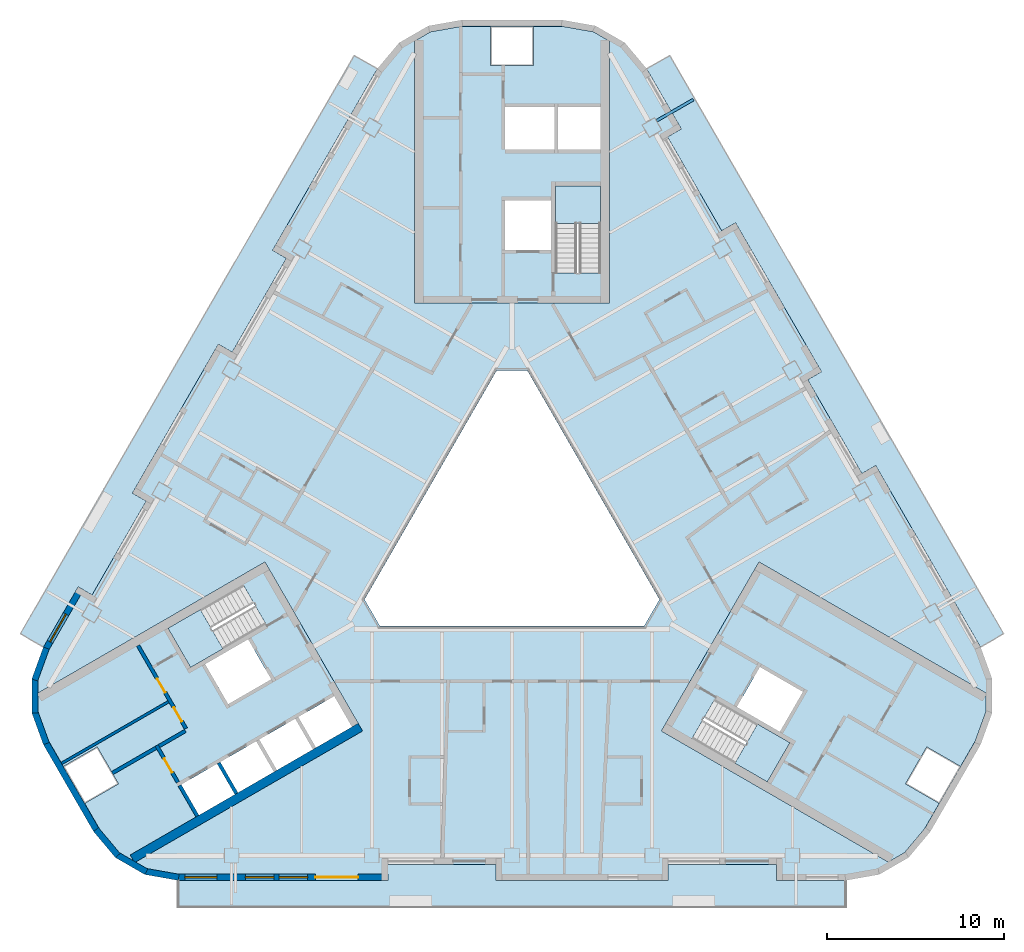
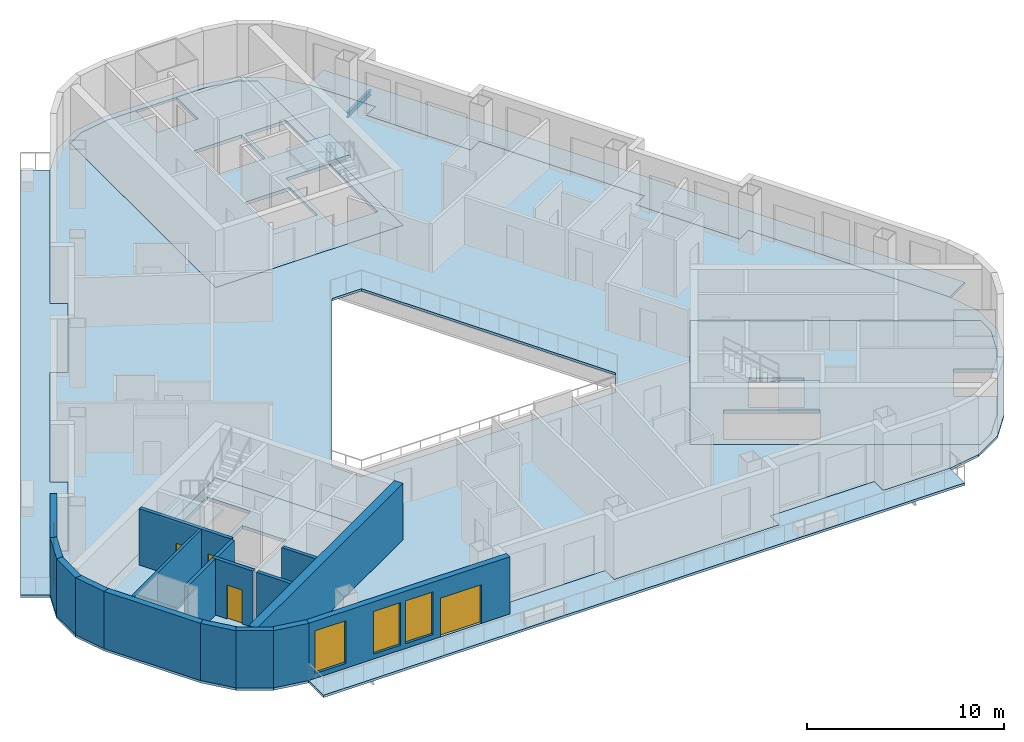
# One storey, part 2 of 14: 17 walls, 10 slabs, 4 doors, 4 windows, 1 beam, 8 openings, 3 elements without a shape of their own.
"""IFC4 building model written with IfcOpenShell, lengths in metres."""

from ifc_helpers import new_model, si_unit, direction, frame, frame_2d, origin, origin_2d, place, context, subcontext, project, spatial, polyline, rectangle, i_section, outline, extrude, material, layer, layer_set, material_profile, profile_set, type_object, element, fill, aggregate, save


model = new_model("IFC4")

# Units and contexts
model_context = context("Model", 3, precision=1e-05, world=origin(), true_north=direction((0.0, 1.0)))
body_context = subcontext(model_context, "Body", "Model", "MODEL_VIEW")
ifc_project = project(units=[si_unit("LENGTHUNIT", "METRE"), si_unit("AREAUNIT", "SQUARE_METRE"), si_unit("VOLUMEUNIT", "CUBIC_METRE"), si_unit("PLANEANGLEUNIT", "RADIAN"), si_unit("MASSUNIT", "GRAM", prefix="KILO")], contexts=[model_context])

# Site, building, storey
site_placement = place(None, origin())
site = spatial("IfcSite", under=ifc_project, at=site_placement, CompositionType="ELEMENT")
building_placement = place(site_placement, origin())
building = spatial("IfcBuilding", under=site, at=building_placement, Name="Apuvela Tower Hotel", CompositionType="ELEMENT")
storey_placement = place(building_placement, frame((0.0, 0.0, 172.5)))
storey = spatial("IfcBuildingStorey", under=building, at=storey_placement, Name="L41", CompositionType="ELEMENT", Elevation=172.5)

# Beam
ifc_material_1 = material(Name="Steel S355", Category="steel")
ifc_material_profile = material_profile(ifc_material_1, i_section(OverallWidth=0.159912109375, OverallDepth=0.330078125, WebThickness=0.007568359375, FlangeThickness=0.011474609375, at=origin_2d()), Name="IPE 330")
ifc_profile_set = profile_set([ifc_material_profile], Name="Steel S355")
beam_type = type_object("IfcBeamType", Name="ENV-BALCONY-BEAM-IPE330", PredefinedType="BEAM", material=ifc_profile_set)
beam_placement = place(storey_placement, frame((8.15576171875, 23.183837890625, -0.31494140625), z_axis=(0.866007538022, 0.500030943131, 0.0), x_axis=(-0.500030943131, 0.866007538022, 0.0)))
element("IfcBeam", 1, at=beam_placement, inside=storey, type_object=beam_type, Name="Balcony cantilever beam NE3 L41", PredefinedType="BEAM", context=body_context, shape_type="SweptSolid", body=[
    extrude(i_section(OverallWidth=0.159912109375, OverallDepth=0.330078125, WebThickness=0.007568359375, FlangeThickness=0.011474609375, at=origin_2d()), origin(), (0.0, 0.0, 1.0), 2.374755859375),
])

# Slabs
ifc_material_2 = material(Name="Concrete C50/60", Category="concrete")
ifc_layer_1 = layer(ifc_material_2, 0.199951171875)
ifc_layer_set_1 = layer_set([ifc_layer_1], Name="COR-FLOOR-200")
slab_type_1 = type_object("IfcSlabType", Name="COR-FLOOR-200", PredefinedType="FLOOR", material=ifc_layer_set_1)
slab_1_placement = place(storey_placement, frame((0.0, 0.0, -0.199951171875)))
element("IfcSlab", 2, at=slab_1_placement, inside=storey, type_object=slab_type_1, Name="Core floor N", PredefinedType="FLOOR", context=body_context, shape_type="SweptSolid", body=[
    extrude(outline(polyline([(5.5, 27.668212890625), (4.588623046875, 28.1943359375), (2.85498046875, 28.5), (1.199951171875, 28.5), (1.199951171875, 26.300048828125), (-1.199951171875, 26.300048828125), (-1.199951171875, 28.5), (-2.85498046875, 28.5), (-4.588623046875, 28.1943359375), (-5.5, 27.668212890625), (-5.5, 12.89990234375), (5.5, 12.89990234375), (5.5, 27.668212890625)]), holes=[polyline([(5.0, 14.60595703125), (2.449951171875, 14.60595703125), (2.449951171875, 19.5), (5.0, 19.5), (5.0, 14.60595703125)]), polyline([(2.199951171875, 15.89990234375), (-0.39990234375, 15.89990234375), (-0.39990234375, 18.699951171875), (2.199951171875, 18.699951171875), (2.199951171875, 15.89990234375)]), polyline([(5.0, 21.550048828125), (2.60009765625, 21.550048828125), (2.60009765625, 23.949951171875), (5.0, 23.949951171875), (5.0, 21.550048828125)]), polyline([(2.39990234375, 21.550048828125), (-0.39990234375, 21.550048828125), (-0.39990234375, 23.949951171875), (2.39990234375, 23.949951171875), (2.39990234375, 21.550048828125)])]), origin(), (0.0, 0.0, 1.0), 0.199951171875),
])
slab_2_placement = place(storey_placement, frame((0.0, 0.0, -0.199951171875)))
element("IfcSlab", 3, at=slab_2_placement, inside=storey, type_object=slab_type_1, Name="Core floor SW", PredefinedType="FLOOR", context=body_context, shape_type="SweptSolid", body=[
    extrude(outline(polyline([(-26.711181640625, -9.07080078125), (-26.711181640625, -10.123291015625), (-26.109375, -11.77734375), (-25.28173828125, -13.210693359375), (-23.37646484375, -12.11083984375), (-22.176513671875, -14.189208984375), (-24.081787109375, -15.289306640625), (-23.254150390625, -16.72265625), (-22.122802734375, -18.071044921875), (-21.211181640625, -18.59716796875), (-8.421630859375, -11.213134765625), (-13.921630859375, -1.68701171875), (-26.711181640625, -9.07080078125)]), holes=[polyline([(-10.01806640625, -9.248046875), (-9.01806640625, -10.97998046875), (-11.044677734375, -12.150146484375), (-12.044677734375, -10.418212890625), (-10.01806640625, -9.248046875)]), polyline([(-14.244384765625, -11.68798828125), (-12.2177734375, -10.51806640625), (-11.2177734375, -12.25), (-13.244384765625, -13.420166015625), (-14.244384765625, -11.68798828125)]), polyline([(-19.387451171875, -5.419921875), (-15.149169921875, -2.972900390625), (-13.874267578125, -5.18115234375), (-18.112548828125, -7.628173828125), (-19.387451171875, -5.419921875)]), polyline([(-14.869873046875, -6.044677734375), (-13.56982421875, -8.29638671875), (-15.99462890625, -9.6962890625), (-17.294677734375, -7.444580078125), (-14.869873046875, -6.044677734375)]), polyline([(-16.444091796875, -12.9580078125), (-14.41748046875, -11.7880859375), (-13.41748046875, -13.52001953125), (-15.444091796875, -14.690185546875), (-16.444091796875, -12.9580078125)]), polyline([(-18.643798828125, -14.22802734375), (-16.6171875, -13.05810546875), (-15.6171875, -14.7900390625), (-17.643798828125, -15.960205078125), (-18.643798828125, -14.22802734375)])]), origin(), (0.0, 0.0, 1.0), 0.199951171875),
])
slab_3_placement = place(storey_placement, frame((0.0, 0.0, -0.199951171875)))
element("IfcSlab", 4, at=slab_3_placement, inside=storey, type_object=slab_type_1, Name="Core floor SE", PredefinedType="FLOOR", context=body_context, shape_type="SweptSolid", body=[
    extrude(outline(polyline([(21.211181640625, -18.59716796875), (22.122802734375, -18.071044921875), (23.254150390625, -16.72265625), (24.081787109375, -15.289306640625), (22.176513671875, -14.189208984375), (23.37646484375, -12.11083984375), (25.28173828125, -13.210693359375), (26.109375, -11.77734375), (26.711181640625, -10.123291015625), (26.711181640625, -9.07080078125), (13.921630859375, -1.68701171875), (8.421630859375, -11.213134765625), (21.211181640625, -18.59716796875)]), holes=[polyline([(11.42431640625, -9.4248046875), (15.66259765625, -11.871826171875), (14.387451171875, -14.080078125), (10.149169921875, -11.633056640625), (11.42431640625, -9.4248046875)]), polyline([(13.9697265625, -7.603515625), (16.394775390625, -9.003662109375), (15.0947265625, -11.25537109375), (12.669921875, -9.855224609375), (13.9697265625, -7.603515625)])]), origin(), (0.0, 0.0, 1.0), 0.199951171875),
])

# Stair, slab
stair_type = type_object("IfcStairType", Name="COR-STAIR-22R", PredefinedType="HALF_TURN_STAIR", material=ifc_material_2)
stair_1_placement = place(storey_placement, origin())
stair_1 = element("IfcStair", 5, at=stair_1_placement, inside=storey, type_object=stair_type, Name="L41 Exit stair ST1", PredefinedType="HALF_TURN_STAIR")
ifc_layer_2 = layer(ifc_material_2, 0.199951171875)
ifc_layer_set_2 = layer_set([ifc_layer_2], Name="COR-LANDING-200")
slab_type_2 = type_object("IfcSlabType", Name="COR-LANDING-200", PredefinedType="LANDING", material=ifc_layer_set_2)
slab_4_placement = place(storey_placement, frame((0.0, 0.0, 1.64990234375)))
slab_4 = element("IfcSlab", 6, at=slab_4_placement, type_object=slab_type_2, Name="ST1 landing 1", PredefinedType="LANDING", context=body_context, shape_type="SweptSolid", body=[
    extrude(outline(polyline([(5.0, 17.39404296875), (5.0, 19.5), (2.449951171875, 19.5), (2.449951171875, 17.39404296875), (5.0, 17.39404296875)])), origin(), (0.0, 0.0, 1.0), 0.2001953125),
])
aggregate(stair_1, [slab_4])

stair_2_placement = place(storey_placement, origin())
stair_2 = element("IfcStair", 7, at=stair_2_placement, inside=storey, type_object=stair_type, Name="L41 Exit stair ST2", PredefinedType="HALF_TURN_STAIR")
slab_5_placement = place(storey_placement, frame((0.0, 0.0, 1.64990234375)))
slab_5 = element("IfcSlab", 8, at=slab_5_placement, type_object=slab_type_2, Name="ST2 landing 1", PredefinedType="LANDING", context=body_context, shape_type="SweptSolid", body=[
    extrude(outline(polyline([(-17.563720703125, -4.366943359375), (-19.387451171875, -5.419921875), (-18.112548828125, -7.628173828125), (-16.28857421875, -6.5751953125), (-17.563720703125, -4.366943359375)])), origin(), (0.0, 0.0, 1.0), 0.2001953125),
])
aggregate(stair_2, [slab_5])

stair_3_placement = place(storey_placement, origin())
stair_3 = element("IfcStair", 9, at=stair_3_placement, inside=storey, type_object=stair_type, Name="L41 Exit stair ST3", PredefinedType="HALF_TURN_STAIR")
slab_6_placement = place(storey_placement, frame((0.0, 0.0, 1.64990234375)))
slab_6 = element("IfcSlab", 10, at=slab_6_placement, type_object=slab_type_2, Name="ST3 landing 1", PredefinedType="LANDING", context=body_context, shape_type="SweptSolid", body=[
    extrude(outline(polyline([(12.563720703125, -13.027099609375), (14.387451171875, -14.080078125), (15.66259765625, -11.871826171875), (13.838623046875, -10.81884765625), (12.563720703125, -13.027099609375)])), origin(), (0.0, 0.0, 1.0), 0.2001953125),
])
aggregate(stair_3, [slab_6])

# Slabs
ifc_material_3 = material(Name="Concrete C40/50, fair-faced", Category="concrete")
ifc_layer_3 = layer(ifc_material_3, 0.14990234375)
ifc_layer_set_3 = layer_set([ifc_layer_3], Name="ENV-BALCONY-150")
slab_type_3 = type_object("IfcSlabType", Name="ENV-BALCONY-150", PredefinedType="FLOOR", material=ifc_layer_set_3)
slab_7_placement = place(storey_placement, frame((0.0, 0.0, -0.14990234375)))
element("IfcSlab", 11, at=slab_7_placement, inside=storey, type_object=slab_type_3, Name="Balcony slab S L41", PredefinedType="FLOOR", context=body_context, shape_type="SweptSolid", body=[
    extrude(outline(polyline([(18.82080078125, -21.135009765625), (-18.82080078125, -21.135009765625), (-18.82080078125, -19.625), (-7.0048828125, -19.625), (-7.0048828125, -18.72509765625), (-0.89501953125, -18.72509765625), (-0.89501953125, -19.625), (8.794921875, -19.625), (8.794921875, -18.72509765625), (14.905029296875, -18.72509765625), (14.905029296875, -19.625), (18.82080078125, -19.625), (18.82080078125, -21.135009765625)])), origin(), (0.0, 0.0, 1.0), 0.14990234375),
])
slab_8_placement = place(storey_placement, frame((0.0, 0.0, -0.14990234375)))
element("IfcSlab", 12, at=slab_8_placement, inside=storey, type_object=slab_type_3, Name="Balcony slab NE L41", PredefinedType="FLOOR", context=body_context, shape_type="SweptSolid", body=[
    extrude(outline(polyline([(17.443359375, 9.037353515625), (12.598388671875, 17.42919921875), (11.81884765625, 16.979248046875), (8.763916015625, 22.2705078125), (9.543212890625, 22.720703125), (7.585205078125, 26.11181640625), (8.89306640625, 26.86669921875), (27.7138671875, -5.731689453125), (26.40625, -6.48681640625), (20.498291015625, 3.74609375), (19.71875, 3.2958984375), (16.663818359375, 8.58740234375), (17.443359375, 9.037353515625)])), origin(), (0.0, 0.0, 1.0), 0.14990234375),
])
slab_9_placement = place(storey_placement, frame((0.0, 0.0, -0.14990234375)))
element("IfcSlab", 13, at=slab_9_placement, inside=storey, type_object=slab_type_3, Name="Balcony slab NW L41", PredefinedType="FLOOR", context=body_context, shape_type="SweptSolid", body=[
    extrude(outline(polyline([(-27.7138671875, -5.731689453125), (-8.89306640625, 26.86669921875), (-7.585205078125, 26.11181640625), (-13.4931640625, 15.87890625), (-12.7138671875, 15.428955078125), (-15.768798828125, 10.1376953125), (-16.548095703125, 10.587646484375), (-21.393310546875, 2.19580078125), (-20.61376953125, 1.745849609375), (-23.668701171875, -3.545654296875), (-24.4482421875, -3.095703125), (-26.40625, -6.48681640625), (-27.7138671875, -5.731689453125)])), origin(), (0.0, 0.0, 1.0), 0.14990234375),
])
ifc_material_4 = material(Name="Concrete C35/45", Category="concrete")
ifc_layer_4 = layer(ifc_material_4, 0.14990234375)
ifc_layer_set_4 = layer_set([ifc_layer_4], Name="STR-SLAB 150 floor Concrete C35/45")
slab_type_4 = type_object("IfcSlabType", Name="STR-SLAB 150 floor Concrete C35/45", PredefinedType="FLOOR", material=ifc_layer_set_4)
slab_10_placement = place(storey_placement, frame((0.0, 0.0, -0.14990234375)))
element("IfcSlab", 14, at=slab_10_placement, inside=storey, type_object=slab_type_4, Name="Floor slab S4 L41", PredefinedType="FLOOR", context=body_context, shape_type="SweptSolid", body=[
    extrude(outline(polyline([(-6.3642578125, 27.5732421875), (-4.710205078125, 28.5283203125), (-2.8291015625, 28.860107421875), (2.8291015625, 28.860107421875), (4.710205078125, 28.5283203125), (6.3642578125, 27.5732421875), (7.59228515625, 26.110107421875), (9.550048828125, 22.71875), (8.770751953125, 22.268798828125), (11.82080078125, 16.986083984375), (12.60009765625, 17.43603515625), (17.4501953125, 9.035400390625), (16.670654296875, 8.58544921875), (19.720703125, 3.302734375), (20.5, 3.752685546875), (26.407958984375, -6.47998046875), (27.061279296875, -8.27490234375), (27.061279296875, -10.18505859375), (26.407958984375, -11.97998046875), (23.5791015625, -16.8798828125), (22.351318359375, -18.34326171875), (20.697021484375, -19.29833984375), (18.81591796875, -19.6298828125), (14.89990234375, -19.6298828125), (14.89990234375, -18.72998046875), (8.800048828125, -18.72998046875), (8.800048828125, -19.6298828125), (-0.89990234375, -19.6298828125), (-0.89990234375, -18.72998046875), (-7.0, -18.72998046875), (-7.0, -19.6298828125), (-18.81591796875, -19.6298828125), (-20.697021484375, -19.29833984375), (-22.351318359375, -18.34326171875), (-23.5791015625, -16.8798828125), (-26.407958984375, -11.97998046875), (-27.061279296875, -10.18505859375), (-27.061279296875, -8.27490234375), (-26.407958984375, -6.47998046875), (-24.4501953125, -3.088623046875), (-23.670654296875, -3.538818359375), (-20.62060546875, 1.743896484375), (-21.400146484375, 2.194091796875), (-16.550048828125, 10.594482421875), (-15.7705078125, 10.14453125), (-12.720703125, 15.42724609375), (-13.5, 15.877197265625), (-7.59228515625, 26.110107421875), (-6.3642578125, 27.5732421875)]), holes=[polyline([(0.865966796875, 9.10009765625), (-0.865966796875, 9.10009765625), (-8.313720703125, -3.800048828125), (-7.44775390625, -5.300048828125), (7.44775390625, -5.300048828125), (8.313720703125, -3.800048828125), (0.865966796875, 9.10009765625)]), polyline([(-5.5, 12.89990234375), (-5.5, 27.668212890625), (-4.588623046875, 28.1943359375), (-2.85498046875, 28.5), (2.85498046875, 28.5), (4.588623046875, 28.1943359375), (5.5, 27.668212890625), (5.5, 12.89990234375), (-5.5, 12.89990234375)]), polyline([(-8.421630859375, -11.213134765625), (-21.211181640625, -18.59716796875), (-22.122802734375, -18.071044921875), (-23.254150390625, -16.72265625), (-26.109375, -11.77734375), (-26.711181640625, -10.123291015625), (-26.711181640625, -9.07080078125), (-13.921630859375, -1.68701171875), (-8.421630859375, -11.213134765625)]), polyline([(13.921630859375, -1.68701171875), (26.711181640625, -9.07080078125), (26.711181640625, -10.123291015625), (26.109375, -11.77734375), (23.254150390625, -16.72265625), (22.122802734375, -18.071044921875), (21.211181640625, -18.59716796875), (8.421630859375, -11.213134765625), (13.921630859375, -1.68701171875)])]), origin(), (0.0, 0.0, 1.0), 0.14990234375),
])

# Walls
ifc_layer_5 = layer(ifc_material_2, 0.5)
ifc_layer_set_5 = layer_set([ifc_layer_5], Name="COR-WALL-CORE-500")
wall_type_1 = type_object("IfcWallType", Name="COR-WALL-CORE-500", PredefinedType="SHEAR", material=ifc_layer_set_5)
wall_1_placement = place(storey_placement, frame((-8.546630859375, -10.99658203125, 0.0), z_axis=(0.0, 0.0, 1.0), x_axis=(-0.866025009528, -0.500000682871, 0.0)))
element("IfcWall", 15, at=wall_1_placement, inside=storey, type_object=wall_type_1, Name="Core wall SW", PredefinedType="SHEAR", context=body_context, shape_type="SweptSolid", body=[
    extrude(rectangle(XDim=14.8369140625, YDim=0.5, at=frame_2d((7.41845703125, 0.0))), origin(), (0.0, 0.0, 1.0), 3.5),
])
ifc_material_5 = material(Name="Blockwork 150 mm plastered", Category="masonry")
ifc_layer_6 = layer(ifc_material_5, 0.14990234375)
ifc_layer_set_6 = layer_set([ifc_layer_6], Name="COR-WALL-PART-150")
wall_type_2 = type_object("IfcWallType", Name="COR-WALL-PART-150", PredefinedType="PARTITIONING", material=ifc_layer_set_6)
wall_2_placement = place(storey_placement, frame((-19.36279296875, -9.5625, 0.0), z_axis=(0.0, 0.0, 1.0), x_axis=(-0.866016523273, -0.500015381182, 0.0)))
element("IfcWall", 16, at=wall_2_placement, inside=storey, type_object=wall_type_2, Name="Partition SW", PredefinedType="PARTITIONING", context=body_context, shape_type="SweptSolid", body=[
    extrude(rectangle(XDim=6.949951171875, YDim=0.14990234375, at=frame_2d((3.47509765625, 0.0))), origin(), (0.0, 0.0, 1.0), 3.5),
])

# Wall, openings, doors
ifc_material_6 = material(Name="Blockwork 200 mm plastered", Category="masonry")
ifc_layer_7 = layer(ifc_material_6, 0.199951171875)
ifc_layer_set_7 = layer_set([ifc_layer_7], Name="COR-WALL-PART-200")
wall_type_3 = type_object("IfcWallType", Name="COR-WALL-PART-200", PredefinedType="PARTITIONING", material=ifc_layer_set_7)
wall_3_placement = place(storey_placement, frame((-21.076171875, -6.39501953125, 0.0), z_axis=(0.0, 0.0, 1.0), x_axis=(0.50001468107, -0.866016927499, 0.0)))
wall_3 = element("IfcWall", 17, at=wall_3_placement, inside=storey, type_object=wall_type_3, Name="Partition SW", PredefinedType="PARTITIONING", context=body_context, shape_type="SweptSolid", body=[
    extrude(rectangle(XDim=5.399658203125, YDim=0.199951171875, at=frame_2d((2.69970703125, 0.0))), origin(), (0.0, 0.0, 1.0), 3.5),
])
opening_1_placement = place(wall_3_placement, frame((2.16259765625, 0.0, 0.0)))
opening_1 = element("IfcOpeningElement", 18, at=opening_1_placement, cuts=wall_3, Name="Opening W-RS1", PredefinedType="OPENING", context=body_context, shape_type="SweptSolid", body=[
    extrude(rectangle(XDim=0.89990234375, YDim=2.10009765625, at=frame_2d((0.449951171875, 1.050048828125))), frame((0.0, 0.10986328125, 0.0), z_axis=(0.0, -1.0, 0.0), x_axis=(1.0, 0.0, 0.0)), (0.0, 0.0, 1.0), 0.219970703125),
])
opening_2_placement = place(wall_3_placement, frame((4.03759765625, 0.0, 0.0)))
opening_2 = element("IfcOpeningElement", 19, at=opening_2_placement, cuts=wall_3, Name="Opening W-RS2", PredefinedType="OPENING", context=body_context, shape_type="SweptSolid", body=[
    extrude(rectangle(XDim=0.89990234375, YDim=2.10009765625, at=frame_2d((0.449951171875, 1.050048828125))), frame((0.0, 0.10986328125, 0.0), z_axis=(0.0, -1.0, 0.0), x_axis=(1.0, 0.0, 0.0)), (0.0, 0.0, 1.0), 0.219970703125),
])
ifc_material_7 = material(Name="Steel fire door, powder coated", Category="steel")
door_type_1 = type_object("IfcDoorType", Name="COR-DR-900", OperationType="NOTDEFINED", PredefinedType="DOOR", material=ifc_material_7)
door_1_placement = place(opening_1_placement, frame((0.89990234375, 0.0, 0.0), z_axis=(0.0, 0.0, 1.0), x_axis=(-1.0, 0.0, 0.0)))
door_1 = element("IfcDoor", 20, at=door_1_placement, inside=storey, type_object=door_type_1, Name="Store door W-RS1", OperationType="SINGLE_SWING_LEFT", OverallHeight=2.10009765625, OverallWidth=0.89990234375, PredefinedType="DOOR", context=body_context, shape_type="SweptSolid", body=[
    extrude(rectangle(XDim=0.89990234375, YDim=2.10009765625, at=frame_2d((0.449951171875, 1.050048828125))), frame((0.0, 0.02490234375, 0.0), z_axis=(0.0, -1.0, 0.0), x_axis=(1.0, 0.0, 0.0)), (0.0, 0.0, 1.0), 0.050048828125),
])
fill(opening_1, door_1)
door_2_placement = place(opening_2_placement, frame((0.89990234375, 0.0, 0.0), z_axis=(0.0, 0.0, 1.0), x_axis=(-1.0, 0.0, 0.0)))
door_2 = element("IfcDoor", 21, at=door_2_placement, inside=storey, type_object=door_type_1, Name="Store door W-RS2", OperationType="SINGLE_SWING_LEFT", OverallHeight=2.10009765625, OverallWidth=0.89990234375, PredefinedType="DOOR", context=body_context, shape_type="SweptSolid", body=[
    extrude(rectangle(XDim=0.89990234375, YDim=2.10009765625, at=frame_2d((0.449951171875, 1.050048828125))), frame((0.0, 0.02490234375, 0.0), z_axis=(0.0, -1.0, 0.0), x_axis=(1.0, 0.0, 0.0)), (0.0, 0.0, 1.0), 0.050048828125),
])
fill(opening_2, door_2)

# Wall, opening, door
ifc_layer_8 = layer(ifc_material_2, 0.199951171875)
ifc_layer_set_8 = layer_set([ifc_layer_8], Name="COR-WALL-SHAFT-200")
wall_type_4 = type_object("IfcWallType", Name="COR-WALL-SHAFT-200", PredefinedType="SHEAR", material=ifc_layer_set_8)
wall_4_placement = place(storey_placement, frame((-20.030517578125, -12.0263671875, 0.0), z_axis=(0.0, 0.0, 1.0), x_axis=(0.500033551112, -0.866006032174, 0.0)))
wall_4 = element("IfcWall", 22, at=wall_4_placement, inside=storey, type_object=wall_type_4, Name="Shaft wall SW", PredefinedType="SHEAR", context=body_context, shape_type="SweptSolid", body=[
    extrude(rectangle(XDim=2.400146484375, YDim=0.199951171875, at=frame_2d((1.2001953125, 0.0))), origin(), (0.0, 0.0, 1.0), 3.5),
])
opening_3_placement = place(wall_4_placement, frame((0.85009765625, 0.0, 0.0)))
opening_3 = element("IfcOpeningElement", 23, at=opening_3_placement, cuts=wall_4, Name="Opening W-REP", PredefinedType="OPENING", context=body_context, shape_type="SweptSolid", body=[
    extrude(rectangle(XDim=0.89990234375, YDim=2.10009765625, at=frame_2d((0.449951171875, 1.050048828125))), frame((0.0, 0.10986328125, 0.0), z_axis=(0.0, -1.0, 0.0), x_axis=(1.0, 0.0, 0.0)), (0.0, 0.0, 1.0), 0.219970703125),
])
door_3_placement = place(opening_3_placement, frame((0.89990234375, 0.0, 0.0), z_axis=(0.0, 0.0, 1.0), x_axis=(-1.0, 0.0, 0.0)))
door_3 = element("IfcDoor", 24, at=door_3_placement, inside=storey, type_object=door_type_1, Name="Store door W-REP", OperationType="SINGLE_SWING_LEFT", OverallHeight=2.10009765625, OverallWidth=0.89990234375, PredefinedType="DOOR", context=body_context, shape_type="SweptSolid", body=[
    extrude(rectangle(XDim=0.89990234375, YDim=2.10009765625, at=frame_2d((0.449951171875, 1.050048828125))), frame((0.0, 0.02490234375, 0.0), z_axis=(0.0, -1.0, 0.0), x_axis=(1.0, 0.0, 0.0)), (0.0, 0.0, 1.0), 0.050048828125),
])
fill(opening_3, door_3)

# Walls
wall_5_placement = place(storey_placement, frame((-18.412841796875, -11.2080078125, 0.0), z_axis=(0.0, 0.0, 1.0), x_axis=(-0.866038183914, -0.499977863513, 0.0)))
element("IfcWall", 25, at=wall_5_placement, inside=storey, type_object=wall_type_4, Name="Shaft wall SW", PredefinedType="SHEAR", context=body_context, shape_type="SweptSolid", body=[
    extrude(rectangle(XDim=1.7099609375, YDim=0.199951171875, at=frame_2d((0.85498046875, 0.0))), origin(), (0.0, 0.0, 1.0), 3.5),
])
for number, where, z_axis, x_axis, name in (
    (26, (-16.530517578125, -13.008056640625, 0.0), (0.0, 0.0, 1.0), (0.50002537861, -0.866010750942, 0.0), "Shaft wall SW"),
    (27, (-18.73046875, -14.278076171875, 0.0), (0.0, 0.0, 1.0), (0.50002537861, -0.866010750942, 0.0), "Shaft wall SW"),
):
    element("IfcWall", number, at=place(storey_placement, frame(where, z_axis=z_axis, x_axis=x_axis)), inside=storey, type_object=wall_type_4, Name=name, PredefinedType="SHEAR", context=body_context, shape_type="SweptSolid", body=[
        extrude(rectangle(XDim=2.0, YDim=0.199951171875, at=frame_2d((1.0, 0.0))), origin(), (0.0, 0.0, 1.0), 3.5),
    ])
wall_6_placement = place(storey_placement, frame((-20.06689453125, -12.1630859375, 0.0), z_axis=(0.0, 0.0, 1.0), x_axis=(-0.866055327414, -0.49994816717, 0.0)))
element("IfcWall", 28, at=wall_6_placement, inside=storey, type_object=wall_type_4, Name="Shaft wall SW", PredefinedType="SHEAR", context=body_context, shape_type="SweptSolid", body=[
    extrude(rectangle(XDim=2.840087890625, YDim=0.199951171875, at=frame_2d((1.419921875, 0.0))), origin(), (0.0, 0.0, 1.0), 3.5),
])

# Wall, opening, window
ifc_material_8 = material(Name="Concrete C40/50, dark pigmented precast panel", Category="concrete")
ifc_layer_9 = layer(ifc_material_8, 0.35009765625)
ifc_layer_set_9 = layer_set([ifc_layer_9], Name="ENV-WALL-350")
wall_type_5 = type_object("IfcWallType", Name="ENV-WALL-350", PredefinedType="SOLIDWALL", material=ifc_layer_set_9)
wall_7_placement = place(storey_placement, frame((-24.298583984375, -3.17626953125, 0.0), z_axis=(0.0, 0.0, 1.0), x_axis=(-0.500028278809, -0.866009076391, 0.0)))
wall_7 = element("IfcWall", 29, at=wall_7_placement, inside=storey, type_object=wall_type_5, Name="External wall L41-09", PredefinedType="SOLIDWALL", context=body_context, shape_type="SweptSolid", body=[
    extrude(rectangle(XDim=3.915771484375, YDim=0.35009765625, at=frame_2d((1.9580078125, 0.0))), origin(), (0.0, 0.0, 1.0), 3.550048828125),
])
opening_4_placement = place(wall_7_placement, frame((1.675048828125, 0.0, 0.300048828125)))
opening_4 = element("IfcOpeningElement", 30, at=opening_4_placement, cuts=wall_7, Name="Opening WN18", PredefinedType="OPENING", context=body_context, shape_type="SweptSolid", body=[
    extrude(rectangle(XDim=1.800048828125, YDim=2.64990234375, at=frame_2d((0.89990234375, 1.324951171875))), frame((0.0, 0.18505859375, 0.0), z_axis=(0.0, -1.0, 0.0), x_axis=(1.0, 0.0, 0.0)), (0.0, 0.0, 1.0), 0.3701171875),
])
ifc_material_9 = material(Name="Glass, dark tinted laminated insulated glazing unit", Category="glass")
window_type_1 = type_object("IfcWindowType", Name="ENV-WIN-1800x2650", PartitioningType="SINGLE_PANEL", PredefinedType="WINDOW", material=ifc_material_9)
window_1_placement = place(opening_4_placement, origin())
window_1 = element("IfcWindow", 31, at=window_1_placement, inside=storey, type_object=window_type_1, Name="Window WN18", OverallHeight=2.64990234375, OverallWidth=1.800048828125, PartitioningType="SINGLE_PANEL", PredefinedType="WINDOW", context=body_context, shape_type="SweptSolid", body=[
    extrude(rectangle(XDim=1.800048828125, YDim=2.64990234375, at=frame_2d((0.89990234375, 1.324951171875))), frame((0.0, 0.030029296875, 0.0), z_axis=(0.0, -1.0, 0.0), x_axis=(1.0, 0.0, 0.0)), (0.0, 0.0, 1.0), 0.06005859375),
])
fill(opening_4, window_1)

# Walls
for number, where, z_axis, x_axis, name in (
    (32, (-26.24365234375, -6.539794921875, 0.0), (0.0, 0.0, 1.0), (-0.342030395486, -0.939688889242, 0.0), "External wall L41-10"),
    (33, (-26.88623046875, -8.27490234375, 0.0), (0.0, 0.0, 1.0), (0.0, -1.0, 0.0), "External wall L41-11"),
    (34, (-26.89697265625, -10.125244140625, 0.0), (0.0, 0.0, 1.0), (0.342030395486, -0.939688889242, 0.0), "External wall L41-12"),
):
    element("IfcWall", number, at=place(storey_placement, frame(where, z_axis=z_axis, x_axis=x_axis)), inside=storey, type_object=wall_type_5, Name=name, PredefinedType="SOLIDWALL", context=body_context, shape_type="SweptSolid", body=[
        extrude(rectangle(XDim=1.91015625, YDim=0.35009765625, at=frame_2d((0.955078125, 0.0))), origin(), (0.0, 0.0, 1.0), 3.550048828125),
    ])
wall_8_placement = place(storey_placement, frame((-26.256591796875, -11.892578125, 0.0), z_axis=(0.0, 0.0, 1.0), x_axis=(0.500018773155, -0.866014564827, 0.0)))
element("IfcWall", 35, at=wall_8_placement, inside=storey, type_object=wall_type_5, Name="External wall L41-13", PredefinedType="SOLIDWALL", context=body_context, shape_type="SweptSolid", body=[
    extrude(rectangle(XDim=5.657958984375, YDim=0.35009765625, at=frame_2d((2.8291015625, 0.0))), origin(), (0.0, 0.0, 1.0), 3.550048828125),
])
for number, where, z_axis, x_axis, name in (
    (36, (-23.44482421875, -16.767578125, 0.0), (0.0, 0.0, 1.0), (0.642733291068, -0.76609001857, 0.0), "External wall L41-14"),
    (37, (-22.263671875, -18.191650390625, 0.0), (0.0, 0.0, 1.0), (0.866000389056, -0.500043324278, 0.0), "External wall L41-15"),
):
    element("IfcWall", number, at=place(storey_placement, frame(where, z_axis=z_axis, x_axis=x_axis)), inside=storey, type_object=wall_type_5, Name=name, PredefinedType="SOLIDWALL", context=body_context, shape_type="SweptSolid", body=[
        extrude(rectangle(XDim=1.909912109375, YDim=0.35009765625, at=frame_2d((0.955078125, 0.0))), origin(), (0.0, 0.0, 1.0), 3.550048828125),
    ])
wall_9_placement = place(storey_placement, frame((-20.66650390625, -19.1259765625, 0.0), z_axis=(0.0, 0.0, 1.0), x_axis=(0.984798995425, -0.173697837091, 0.0)))
element("IfcWall", 38, at=wall_9_placement, inside=storey, type_object=wall_type_5, Name="External wall L41-16", PredefinedType="SOLIDWALL", context=body_context, shape_type="SweptSolid", body=[
    extrude(rectangle(XDim=1.91015625, YDim=0.35009765625, at=frame_2d((0.955078125, 0.0))), origin(), (0.0, 0.0, 1.0), 3.550048828125),
])

# Wall, openings, door, windows
wall_10_placement = place(storey_placement, frame((-18.81591796875, -19.455078125, 0.0), z_axis=(0.0, 0.0, 1.0), x_axis=(1.0, 0.0, 0.0)))
wall_10 = element("IfcWall", 39, at=wall_10_placement, inside=storey, type_object=wall_type_5, Name="External wall L41-17", PredefinedType="SOLIDWALL", context=body_context, shape_type="SweptSolid", body=[
    extrude(rectangle(XDim=11.81591796875, YDim=0.35009765625, at=frame_2d((5.907958984375, 0.0))), origin(), (0.0, 0.0, 1.0), 3.550048828125),
])
opening_5_placement = place(wall_10_placement, frame((0.380615234375, 0.0, 0.300048828125)))
opening_5 = element("IfcOpeningElement", 40, at=opening_5_placement, cuts=wall_10, Name="Opening WN18", PredefinedType="OPENING", context=body_context, shape_type="SweptSolid", body=[
    extrude(rectangle(XDim=1.800048828125, YDim=2.64990234375, at=frame_2d((0.89990234375, 1.324951171875))), frame((0.0, 0.18505859375, 0.0), z_axis=(0.0, -1.0, 0.0), x_axis=(1.0, 0.0, 0.0)), (0.0, 0.0, 1.0), 0.3701171875),
])
opening_6_placement = place(wall_10_placement, frame((7.740478515625, 0.0, 0.0)))
opening_6 = element("IfcOpeningElement", 41, at=opening_6_placement, cuts=wall_10, Name="Opening BD24", PredefinedType="OPENING", context=body_context, shape_type="SweptSolid", body=[
    extrude(rectangle(XDim=2.39990234375, YDim=2.39990234375, at=frame_2d((1.199951171875, 1.199951171875))), frame((0.0, 0.18505859375, 0.0), z_axis=(0.0, -1.0, 0.0), x_axis=(1.0, 0.0, 0.0)), (0.0, 0.0, 1.0), 0.3701171875),
])
opening_7_placement = place(wall_10_placement, frame((3.790771484375, 0.0, 0.300048828125)))
opening_7 = element("IfcOpeningElement", 42, at=opening_7_placement, cuts=wall_10, Name="Opening WN16", PredefinedType="OPENING", context=body_context, shape_type="SweptSolid", body=[
    extrude(rectangle(XDim=1.60009765625, YDim=2.64990234375, at=frame_2d((0.800048828125, 1.324951171875))), frame((0.0, 0.18505859375, 0.0), z_axis=(0.0, -1.0, 0.0), x_axis=(1.0, 0.0, 0.0)), (0.0, 0.0, 1.0), 0.3701171875),
])
opening_8_placement = place(wall_10_placement, frame((5.69091796875, 0.0, 0.300048828125)))
opening_8 = element("IfcOpeningElement", 43, at=opening_8_placement, cuts=wall_10, Name="Opening WN16", PredefinedType="OPENING", context=body_context, shape_type="SweptSolid", body=[
    extrude(rectangle(XDim=1.60009765625, YDim=2.64990234375, at=frame_2d((0.800048828125, 1.324951171875))), frame((0.0, 0.18505859375, 0.0), z_axis=(0.0, -1.0, 0.0), x_axis=(1.0, 0.0, 0.0)), (0.0, 0.0, 1.0), 0.3701171875),
])
ifc_material_10 = material(Name="Aluminium 6063-T6, dark bronze anodised frame with dark tinted laminated glass", Category="aluminium")
door_type_2 = type_object("IfcDoorType", Name="ENV-DOOR-BALCONY-2400x2400", OperationType="SLIDING_TO_LEFT", PredefinedType="DOOR", material=ifc_material_10)
door_4_placement = place(opening_6_placement, frame((2.39990234375, 0.0, 0.0), z_axis=(0.0, 0.0, 1.0), x_axis=(-1.0, 0.0, 0.0)))
door_4 = element("IfcDoor", 44, at=door_4_placement, inside=storey, type_object=door_type_2, Name="Balcony door BD24", OperationType="SLIDING_TO_LEFT", OverallHeight=2.39990234375, OverallWidth=2.39990234375, PredefinedType="DOOR", context=body_context, shape_type="SweptSolid", body=[
    extrude(rectangle(XDim=2.39990234375, YDim=2.39990234375, at=frame_2d((1.199951171875, 1.199951171875))), frame((0.0, 0.02490234375, 0.0), z_axis=(0.0, -1.0, 0.0), x_axis=(1.0, 0.0, 0.0)), (0.0, 0.0, 1.0), 0.050048828125),
])
fill(opening_6, door_4)
window_type_2 = type_object("IfcWindowType", Name="ENV-WIN-1600x2650", PartitioningType="SINGLE_PANEL", PredefinedType="WINDOW", material=ifc_material_9)
window_2_placement = place(opening_7_placement, origin())
window_2 = element("IfcWindow", 45, at=window_2_placement, inside=storey, type_object=window_type_2, Name="Window WN16", OverallHeight=2.64990234375, OverallWidth=1.60009765625, PartitioningType="SINGLE_PANEL", PredefinedType="WINDOW", context=body_context, shape_type="SweptSolid", body=[
    extrude(rectangle(XDim=1.60009765625, YDim=2.64990234375, at=frame_2d((0.800048828125, 1.324951171875))), frame((0.0, 0.030029296875, 0.0), z_axis=(0.0, -1.0, 0.0), x_axis=(1.0, 0.0, 0.0)), (0.0, 0.0, 1.0), 0.06005859375),
])
fill(opening_7, window_2)
window_3_placement = place(opening_8_placement, origin())
window_3 = element("IfcWindow", 46, at=window_3_placement, inside=storey, type_object=window_type_2, Name="Window WN16", OverallHeight=2.64990234375, OverallWidth=1.60009765625, PartitioningType="SINGLE_PANEL", PredefinedType="WINDOW", context=body_context, shape_type="SweptSolid", body=[
    extrude(rectangle(XDim=1.60009765625, YDim=2.64990234375, at=frame_2d((0.800048828125, 1.324951171875))), frame((0.0, 0.030029296875, 0.0), z_axis=(0.0, -1.0, 0.0), x_axis=(1.0, 0.0, 0.0)), (0.0, 0.0, 1.0), 0.06005859375),
])
fill(opening_8, window_3)
window_4_placement = place(opening_5_placement, origin())
window_4 = element("IfcWindow", 47, at=window_4_placement, inside=storey, type_object=window_type_1, Name="Window WN18", OverallHeight=2.64990234375, OverallWidth=1.800048828125, PartitioningType="SINGLE_PANEL", PredefinedType="WINDOW", context=body_context, shape_type="SweptSolid", body=[
    extrude(rectangle(XDim=1.800048828125, YDim=2.64990234375, at=frame_2d((0.89990234375, 1.324951171875))), frame((0.0, 0.030029296875, 0.0), z_axis=(0.0, -1.0, 0.0), x_axis=(1.0, 0.0, 0.0)), (0.0, 0.0, 1.0), 0.06005859375),
])
fill(opening_5, window_4)

save(model, "model.ifc")
